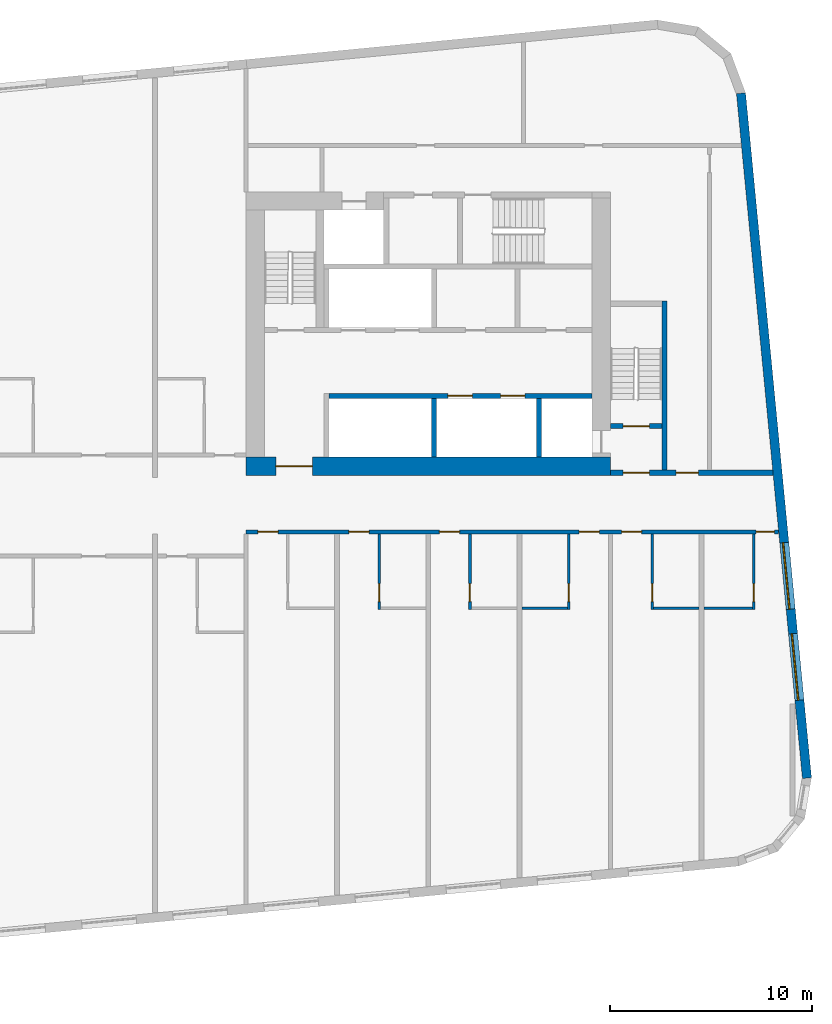
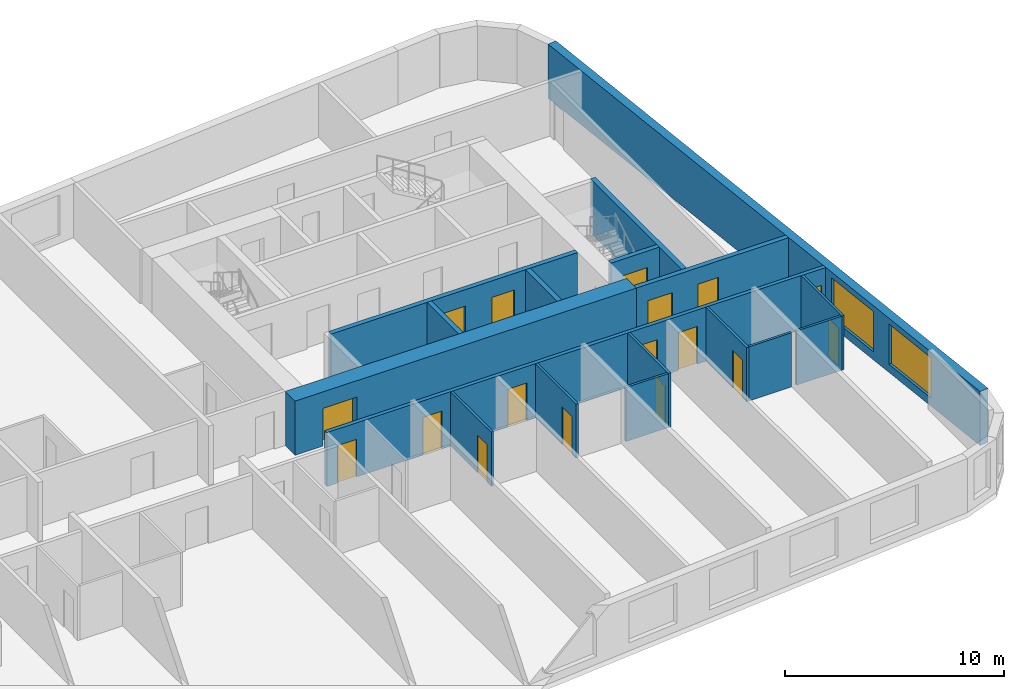
# One storey, part 7 of 12: 17 doors, 17 walls, 2 windows, 19 openings.
"""IFC4 building model written with IfcOpenShell, lengths in metres."""

from ifc_helpers import new_model, si_unit, direction, frame, frame_2d, origin, place, context, subcontext, project, spatial, rectangle, extrude, material, layer, layer_set, type_object, element, fill, save


model = new_model("IFC4")

# Units and contexts
model_context = context("Model", 3, precision=1e-05, world=origin(), true_north=direction((0.0, 1.0)))
body_context = subcontext(model_context, "Body", "Model", "MODEL_VIEW")
ifc_project = project(units=[si_unit("LENGTHUNIT", "METRE"), si_unit("AREAUNIT", "SQUARE_METRE"), si_unit("VOLUMEUNIT", "CUBIC_METRE"), si_unit("PLANEANGLEUNIT", "RADIAN"), si_unit("MASSUNIT", "GRAM", prefix="KILO")], contexts=[model_context])

# Site, building, storey
site_placement = place(None, origin())
site = spatial("IfcSite", under=ifc_project, at=site_placement, CompositionType="ELEMENT")
building_placement = place(site_placement, origin())
building = spatial("IfcBuilding", under=site, at=building_placement, Name="Kajstack Hotel Tower", CompositionType="ELEMENT")
storey_placement = place(building_placement, frame((0.0, 0.0, 190.0)))
storey = spatial("IfcBuildingStorey", under=building, at=storey_placement, Name="L45", CompositionType="ELEMENT", Elevation=190.0)

# Wall, opening, door
ifc_material_1 = material(Name="Concrete C60/75", Category="concrete")
ifc_layer_1 = layer(ifc_material_1, 0.89990234375)
ifc_layer_set_1 = layer_set([ifc_layer_1], Name="Core wall 900")
wall_type_1 = type_object("IfcWallType", Name="Core wall 900", PredefinedType="SHEAR", material=ifc_layer_set_1)
wall_1_placement = place(storey_placement, frame((13.5, 1.949951171875, 0.0), z_axis=(0.0, 0.0, 1.0), x_axis=(1.0, 0.0, 0.0)))
wall_1 = element("IfcWall", 1, at=wall_1_placement, inside=storey, type_object=wall_type_1, Name="Core wall E RN", PredefinedType="SHEAR", context=body_context, shape_type="SweptSolid", body=[
    extrude(rectangle(XDim=18.0, YDim=0.89990234375, at=frame_2d((9.0, 0.0))), origin(), (0.0, 0.0, 1.0), 3.02001953125),
])
opening_1_placement = place(wall_1_placement, frame((1.47509765625, 0.0, 0.0)))
opening_1 = element("IfcOpeningElement", 2, at=opening_1_placement, cuts=wall_1, Name="Opening 45E07", PredefinedType="OPENING", context=body_context, shape_type="SweptSolid", body=[
    extrude(rectangle(XDim=1.800048828125, YDim=2.10009765625, at=frame_2d((0.89990234375, 1.050048828125))), frame((0.0, 0.4599609375, 0.0), z_axis=(0.0, -1.0, 0.0), x_axis=(1.0, 0.0, 0.0)), (0.0, 0.0, 1.0), 0.919921875),
])
ifc_material_2 = material(Name="Glazed steel frame, fire-rated glass", Category="steel")
door_type_1 = type_object("IfcDoorType", Name="Lobby double door 1800", OperationType="DOUBLE_DOOR_DOUBLE_SWING", PredefinedType="DOOR", material=ifc_material_2)
door_1_placement = place(opening_1_placement, origin())
door_1 = element("IfcDoor", 3, at=door_1_placement, inside=storey, type_object=door_type_1, Name="Door 45E07", OperationType="DOUBLE_DOOR_DOUBLE_SWING", OverallHeight=2.10009765625, OverallWidth=1.800048828125, PredefinedType="DOOR", context=body_context, shape_type="SweptSolid", body=[
    extrude(rectangle(XDim=1.800048828125, YDim=2.10009765625, at=frame_2d((0.89990234375, 1.050048828125))), frame((0.0, 0.02490234375, 0.0), z_axis=(0.0, -1.0, 0.0), x_axis=(1.0, 0.0, 0.0)), (0.0, 0.0, 1.0), 0.050048828125),
])
fill(opening_1, door_1)

# Wall, openings, doors
ifc_material_3 = material(Name="Gypsum board on steel studs, mineral wool", Category="steel")
ifc_layer_2 = layer(ifc_material_3, 0.199951171875)
ifc_layer_set_2 = layer_set([ifc_layer_2], Name="Corridor wall 200")
wall_type_2 = type_object("IfcWallType", Name="Corridor wall 200", PredefinedType="PARTITIONING", material=ifc_layer_set_2)
wall_2_placement = place(storey_placement, frame((13.5, -1.300048828125, 0.0), z_axis=(0.0, 0.0, 1.0), x_axis=(1.0, 0.0, 0.0)))
wall_2 = element("IfcWall", 4, at=wall_2_placement, inside=storey, type_object=wall_type_2, Name="G-wall-L45-023", PredefinedType="PARTITIONING", context=body_context, shape_type="SweptSolid", body=[
    extrude(rectangle(XDim=26.31689453125, YDim=0.199951171875, at=frame_2d((13.158447265625, 0.0))), origin(), (0.0, 0.0, 1.0), 3.02001953125),
])
opening_2_placement = place(wall_2_placement, frame((0.574951171875, 0.0, 0.0)))
opening_2 = element("IfcOpeningElement", 5, at=opening_2_placement, cuts=wall_2, Name="Opening 45027", PredefinedType="OPENING", context=body_context, shape_type="SweptSolid", body=[
    extrude(rectangle(XDim=1.0, YDim=2.10009765625, at=frame_2d((0.5, 1.050048828125))), frame((0.0, 0.10986328125, 0.0), z_axis=(0.0, -1.0, 0.0), x_axis=(1.0, 0.0, 0.0)), (0.0, 0.0, 1.0), 0.219970703125),
])
opening_3_placement = place(wall_2_placement, frame((5.074951171875, 0.0, 0.0)))
opening_3 = element("IfcOpeningElement", 6, at=opening_3_placement, cuts=wall_2, Name="Opening 45029", PredefinedType="OPENING", context=body_context, shape_type="SweptSolid", body=[
    extrude(rectangle(XDim=1.0, YDim=2.10009765625, at=frame_2d((0.5, 1.050048828125))), frame((0.0, 0.10986328125, 0.0), z_axis=(0.0, -1.0, 0.0), x_axis=(1.0, 0.0, 0.0)), (0.0, 0.0, 1.0), 0.219970703125),
])
opening_4_placement = place(wall_2_placement, frame((9.550048828125, 0.0, 0.0)))
opening_4 = element("IfcOpeningElement", 7, at=opening_4_placement, cuts=wall_2, Name="Opening 45031", PredefinedType="OPENING", context=body_context, shape_type="SweptSolid", body=[
    extrude(rectangle(XDim=1.0, YDim=2.10009765625, at=frame_2d((0.5, 1.050048828125))), frame((0.0, 0.10986328125, 0.0), z_axis=(0.0, -1.0, 0.0), x_axis=(1.0, 0.0, 0.0)), (0.0, 0.0, 1.0), 0.219970703125),
])
opening_5_placement = place(wall_2_placement, frame((16.449951171875, 0.0, 0.0)))
opening_5 = element("IfcOpeningElement", 8, at=opening_5_placement, cuts=wall_2, Name="Opening 45033", PredefinedType="OPENING", context=body_context, shape_type="SweptSolid", body=[
    extrude(rectangle(XDim=1.0, YDim=2.10009765625, at=frame_2d((0.5, 1.050048828125))), frame((0.0, 0.10986328125, 0.0), z_axis=(0.0, -1.0, 0.0), x_axis=(1.0, 0.0, 0.0)), (0.0, 0.0, 1.0), 0.219970703125),
])
opening_6_placement = place(wall_2_placement, frame((18.550048828125, 0.0, 0.0)))
opening_6 = element("IfcOpeningElement", 9, at=opening_6_placement, cuts=wall_2, Name="Opening 45035", PredefinedType="OPENING", context=body_context, shape_type="SweptSolid", body=[
    extrude(rectangle(XDim=1.0, YDim=2.10009765625, at=frame_2d((0.5, 1.050048828125))), frame((0.0, 0.10986328125, 0.0), z_axis=(0.0, -1.0, 0.0), x_axis=(1.0, 0.0, 0.0)), (0.0, 0.0, 1.0), 0.219970703125),
])
opening_7_placement = place(wall_2_placement, frame((25.2080078125, 0.0, 0.0)))
opening_7 = element("IfcOpeningElement", 10, at=opening_7_placement, cuts=wall_2, Name="Opening 45037", PredefinedType="OPENING", context=body_context, shape_type="SweptSolid", body=[
    extrude(rectangle(XDim=0.89990234375, YDim=2.10009765625, at=frame_2d((0.449951171875, 1.050048828125))), frame((0.0, 0.10986328125, 0.0), z_axis=(0.0, -1.0, 0.0), x_axis=(1.0, 0.0, 0.0)), (0.0, 0.0, 1.0), 0.219970703125),
])
ifc_material_4 = material(Name="Oak veneer on timber core, fire-rated leaf", Category="wood")
door_type_2 = type_object("IfcDoorType", Name="Flat entrance door 1000", OperationType="SINGLE_SWING_LEFT", PredefinedType="DOOR", material=ifc_material_4)
door_2_placement = place(opening_2_placement, origin())
door_2 = element("IfcDoor", 11, at=door_2_placement, inside=storey, type_object=door_type_2, Name="G-door-L45-27", OperationType="SINGLE_SWING_LEFT", OverallHeight=2.10009765625, OverallWidth=1.0, PredefinedType="DOOR", context=body_context, shape_type="SweptSolid", body=[
    extrude(rectangle(XDim=1.0, YDim=2.10009765625, at=frame_2d((0.5, 1.050048828125))), frame((0.0, 0.02490234375, 0.0), z_axis=(0.0, -1.0, 0.0), x_axis=(1.0, 0.0, 0.0)), (0.0, 0.0, 1.0), 0.050048828125),
])
fill(opening_2, door_2)
door_3_placement = place(opening_3_placement, origin())
door_3 = element("IfcDoor", 12, at=door_3_placement, inside=storey, type_object=door_type_2, Name="G-door-L45-29", OperationType="SINGLE_SWING_LEFT", OverallHeight=2.10009765625, OverallWidth=1.0, PredefinedType="DOOR", context=body_context, shape_type="SweptSolid", body=[
    extrude(rectangle(XDim=1.0, YDim=2.10009765625, at=frame_2d((0.5, 1.050048828125))), frame((0.0, 0.02490234375, 0.0), z_axis=(0.0, -1.0, 0.0), x_axis=(1.0, 0.0, 0.0)), (0.0, 0.0, 1.0), 0.050048828125),
])
fill(opening_3, door_3)
door_4_placement = place(opening_4_placement, origin())
door_4 = element("IfcDoor", 13, at=door_4_placement, inside=storey, type_object=door_type_2, Name="G-door-L45-31", OperationType="SINGLE_SWING_LEFT", OverallHeight=2.10009765625, OverallWidth=1.0, PredefinedType="DOOR", context=body_context, shape_type="SweptSolid", body=[
    extrude(rectangle(XDim=1.0, YDim=2.10009765625, at=frame_2d((0.5, 1.050048828125))), frame((0.0, 0.02490234375, 0.0), z_axis=(0.0, -1.0, 0.0), x_axis=(1.0, 0.0, 0.0)), (0.0, 0.0, 1.0), 0.050048828125),
])
fill(opening_4, door_4)
door_5_placement = place(opening_5_placement, origin())
door_5 = element("IfcDoor", 14, at=door_5_placement, inside=storey, type_object=door_type_2, Name="G-door-L45-33", OperationType="SINGLE_SWING_LEFT", OverallHeight=2.10009765625, OverallWidth=1.0, PredefinedType="DOOR", context=body_context, shape_type="SweptSolid", body=[
    extrude(rectangle(XDim=1.0, YDim=2.10009765625, at=frame_2d((0.5, 1.050048828125))), frame((0.0, 0.02490234375, 0.0), z_axis=(0.0, -1.0, 0.0), x_axis=(1.0, 0.0, 0.0)), (0.0, 0.0, 1.0), 0.050048828125),
])
fill(opening_5, door_5)
door_6_placement = place(opening_6_placement, origin())
door_6 = element("IfcDoor", 15, at=door_6_placement, inside=storey, type_object=door_type_2, Name="G-door-L45-35", OperationType="SINGLE_SWING_RIGHT", OverallHeight=2.10009765625, OverallWidth=1.0, PredefinedType="DOOR", context=body_context, shape_type="SweptSolid", body=[
    extrude(rectangle(XDim=1.0, YDim=2.10009765625, at=frame_2d((0.5, 1.050048828125))), frame((0.0, 0.02490234375, 0.0), z_axis=(0.0, -1.0, 0.0), x_axis=(1.0, 0.0, 0.0)), (0.0, 0.0, 1.0), 0.050048828125),
])
fill(opening_6, door_6)
ifc_material_5 = material(Name="Painted timber door leaf", Category="wood")
door_type_3 = type_object("IfcDoorType", Name="Room door 900", OperationType="SINGLE_SWING_LEFT", PredefinedType="DOOR", material=ifc_material_5)
door_7_placement = place(opening_7_placement, origin())
door_7 = element("IfcDoor", 16, at=door_7_placement, inside=storey, type_object=door_type_3, Name="G-door-L45-37", OperationType="SINGLE_SWING_RIGHT", OverallHeight=2.10009765625, OverallWidth=0.89990234375, PredefinedType="DOOR", context=body_context, shape_type="SweptSolid", body=[
    extrude(rectangle(XDim=0.89990234375, YDim=2.10009765625, at=frame_2d((0.449951171875, 1.050048828125))), frame((0.0, 0.02490234375, 0.0), z_axis=(0.0, -1.0, 0.0), x_axis=(1.0, 0.0, 0.0)), (0.0, 0.0, 1.0), 0.050048828125),
])
fill(opening_7, door_7)

# Wall, openings, windows
ifc_material_6 = material(Name="Terracotta-faced brick masonry", Category="masonry")
ifc_layer_3 = layer(ifc_material_6, 0.449951171875)
ifc_layer_set_3 = layer_set([ifc_layer_3], Name="EW-TERRA")
wall_type_3 = type_object("IfcWallType", Name="EW-TERRA", PredefinedType="SOLIDWALL", material=ifc_layer_set_3)
wall_3_placement = place(storey_placement, frame((41.21435546875, -13.465576171875, 0.0), z_axis=(0.0, 0.0, 1.0), x_axis=(-0.095847314626, 0.995396047952, 0.0)))
wall_3 = element("IfcWall", 17, at=wall_3_placement, inside=storey, type_object=wall_type_3, Name="E-wall-L45-08-00", PredefinedType="SOLIDWALL", context=body_context, shape_type="SweptSolid", body=[
    extrude(rectangle(XDim=33.999755859375, YDim=0.449951171875, at=frame_2d((17.0, 0.0))), origin(), (0.0, 0.0, 1.0), 3.02001953125),
])
opening_8_placement = place(wall_3_placement, frame((3.869384765625, 0.0, 0.449951171875)))
opening_8 = element("IfcOpeningElement", 18, at=opening_8_placement, cuts=wall_3, Name="Opening W2", PredefinedType="OPENING", context=body_context, shape_type="SweptSolid", body=[
    extrude(rectangle(XDim=3.300048828125, YDim=2.25, at=frame_2d((1.64990234375, 1.125))), frame((0.0, 0.23486328125, 0.0), z_axis=(0.0, -1.0, 0.0), x_axis=(1.0, 0.0, 0.0)), (0.0, 0.0, 1.0), 0.469970703125),
])
opening_9_placement = place(wall_3_placement, frame((8.390380859375, 0.0, 0.449951171875)))
opening_9 = element("IfcOpeningElement", 19, at=opening_9_placement, cuts=wall_3, Name="Opening W2", PredefinedType="OPENING", context=body_context, shape_type="SweptSolid", body=[
    extrude(rectangle(XDim=3.300048828125, YDim=2.25, at=frame_2d((1.64990234375, 1.125))), frame((0.0, 0.23486328125, 0.0), z_axis=(0.0, -1.0, 0.0), x_axis=(1.0, 0.0, 0.0)), (0.0, 0.0, 1.0), 0.469970703125),
])
ifc_material_7 = material(Name="Timber-aluminium window, triple glazed", Category="wood")
window_type = type_object("IfcWindowType", Name="WG2", PartitioningType="SINGLE_PANEL", PredefinedType="WINDOW", material=ifc_material_7)
window_1_placement = place(opening_8_placement, origin())
window_1 = element("IfcWindow", 20, at=window_1_placement, inside=storey, type_object=window_type, Name="Window W2 L45-08", OverallHeight=2.25, OverallWidth=3.300048828125, PartitioningType="SINGLE_PANEL", PredefinedType="WINDOW", context=body_context, shape_type="SweptSolid", body=[
    extrude(rectangle(XDim=3.300048828125, YDim=2.25, at=frame_2d((1.64990234375, 1.125))), frame((0.0, 0.090087890625, 0.0), z_axis=(0.0, -1.0, 0.0), x_axis=(1.0, 0.0, 0.0)), (0.0, 0.0, 1.0), 0.06005859375),
])
fill(opening_8, window_1)
window_2_placement = place(opening_9_placement, origin())
window_2 = element("IfcWindow", 21, at=window_2_placement, inside=storey, type_object=window_type, Name="Window W2 L45-08", OverallHeight=2.25, OverallWidth=3.300048828125, PartitioningType="SINGLE_PANEL", PredefinedType="WINDOW", context=body_context, shape_type="SweptSolid", body=[
    extrude(rectangle(XDim=3.300048828125, YDim=2.25, at=frame_2d((1.64990234375, 1.125))), frame((0.0, 0.090087890625, 0.0), z_axis=(0.0, -1.0, 0.0), x_axis=(1.0, 0.0, 0.0)), (0.0, 0.0, 1.0), 0.06005859375),
])
fill(opening_9, window_2)

# Wall, opening, door
ifc_material_8 = material(Name="Gypsum board and tiled backer on steel studs", Category="steel")
ifc_layer_4 = layer(ifc_material_8, 0.125)
ifc_layer_set_4 = layer_set([ifc_layer_4], Name="En-suite wall 125")
wall_type_4 = type_object("IfcWallType", Name="En-suite wall 125", PredefinedType="PARTITIONING", material=ifc_layer_set_4)
wall_4_placement = place(storey_placement, frame((20.0869140625, -5.125, 0.0), z_axis=(0.0, 0.0, 1.0), x_axis=(0.0, 1.0, 0.0)))
wall_4 = element("IfcWall", 22, at=wall_4_placement, inside=storey, type_object=wall_type_4, Name="G-wall-L45-039", PredefinedType="PARTITIONING", context=body_context, shape_type="SweptSolid", body=[
    extrude(rectangle(XDim=3.72509765625, YDim=0.125, at=frame_2d((1.862548828125, 0.0))), origin(), (0.0, 0.0, 1.0), 3.02001953125),
])
opening_10_placement = place(wall_4_placement, frame((0.375, 0.0, 0.0)))
opening_10 = element("IfcOpeningElement", 23, at=opening_10_placement, cuts=wall_4, Name="Opening 45030", PredefinedType="OPENING", context=body_context, shape_type="SweptSolid", body=[
    extrude(rectangle(XDim=0.89990234375, YDim=2.10009765625, at=frame_2d((0.449951171875, 1.050048828125))), frame((0.0, 0.072509765625, 0.0), z_axis=(0.0, -1.0, 0.0), x_axis=(1.0, 0.0, 0.0)), (0.0, 0.0, 1.0), 0.14501953125),
])
door_8_placement = place(opening_10_placement, origin())
door_8 = element("IfcDoor", 24, at=door_8_placement, inside=storey, type_object=door_type_3, Name="G-door-L45-30", OperationType="SINGLE_SWING_RIGHT", OverallHeight=2.10009765625, OverallWidth=0.89990234375, PredefinedType="DOOR", context=body_context, shape_type="SweptSolid", body=[
    extrude(rectangle(XDim=0.89990234375, YDim=2.10009765625, at=frame_2d((0.449951171875, 1.050048828125))), frame((0.0, 0.02490234375, 0.0), z_axis=(0.0, -1.0, 0.0), x_axis=(1.0, 0.0, 0.0)), (0.0, 0.0, 1.0), 0.050048828125),
])
fill(opening_10, door_8)

wall_5_placement = place(storey_placement, frame((24.56201171875, -5.125, 0.0), z_axis=(0.0, 0.0, 1.0), x_axis=(0.0, 1.0, 0.0)))
wall_5 = element("IfcWall", 25, at=wall_5_placement, inside=storey, type_object=wall_type_4, Name="G-wall-L45-041", PredefinedType="PARTITIONING", context=body_context, shape_type="SweptSolid", body=[
    extrude(rectangle(XDim=3.72509765625, YDim=0.125, at=frame_2d((1.862548828125, 0.0))), origin(), (0.0, 0.0, 1.0), 3.02001953125),
])
opening_11_placement = place(wall_5_placement, frame((0.375, 0.0, 0.0)))
opening_11 = element("IfcOpeningElement", 26, at=opening_11_placement, cuts=wall_5, Name="Opening 45032", PredefinedType="OPENING", context=body_context, shape_type="SweptSolid", body=[
    extrude(rectangle(XDim=0.89990234375, YDim=2.10009765625, at=frame_2d((0.449951171875, 1.050048828125))), frame((0.0, 0.072509765625, 0.0), z_axis=(0.0, -1.0, 0.0), x_axis=(1.0, 0.0, 0.0)), (0.0, 0.0, 1.0), 0.14501953125),
])
door_9_placement = place(opening_11_placement, origin())
door_9 = element("IfcDoor", 27, at=door_9_placement, inside=storey, type_object=door_type_3, Name="G-door-L45-32", OperationType="SINGLE_SWING_RIGHT", OverallHeight=2.10009765625, OverallWidth=0.89990234375, PredefinedType="DOOR", context=body_context, shape_type="SweptSolid", body=[
    extrude(rectangle(XDim=0.89990234375, YDim=2.10009765625, at=frame_2d((0.449951171875, 1.050048828125))), frame((0.0, 0.02490234375, 0.0), z_axis=(0.0, -1.0, 0.0), x_axis=(1.0, 0.0, 0.0)), (0.0, 0.0, 1.0), 0.050048828125),
])
fill(opening_11, door_9)

wall_6_placement = place(storey_placement, frame((29.43798828125, -5.125, 0.0), z_axis=(0.0, 0.0, 1.0), x_axis=(0.0, 1.0, 0.0)))
wall_6 = element("IfcWall", 28, at=wall_6_placement, inside=storey, type_object=wall_type_4, Name="G-wall-L45-044", PredefinedType="PARTITIONING", context=body_context, shape_type="SweptSolid", body=[
    extrude(rectangle(XDim=3.72509765625, YDim=0.125, at=frame_2d((1.862548828125, 0.0))), origin(), (0.0, 0.0, 1.0), 3.02001953125),
])
opening_12_placement = place(wall_6_placement, frame((0.375, 0.0, 0.0)))
opening_12 = element("IfcOpeningElement", 29, at=opening_12_placement, cuts=wall_6, Name="Opening 45034", PredefinedType="OPENING", context=body_context, shape_type="SweptSolid", body=[
    extrude(rectangle(XDim=0.89990234375, YDim=2.10009765625, at=frame_2d((0.449951171875, 1.050048828125))), frame((0.0, 0.072509765625, 0.0), z_axis=(0.0, -1.0, 0.0), x_axis=(1.0, 0.0, 0.0)), (0.0, 0.0, 1.0), 0.14501953125),
])
door_10_placement = place(opening_12_placement, origin())
door_10 = element("IfcDoor", 30, at=door_10_placement, inside=storey, type_object=door_type_3, Name="G-door-L45-34", OperationType="SINGLE_SWING_LEFT", OverallHeight=2.10009765625, OverallWidth=0.89990234375, PredefinedType="DOOR", context=body_context, shape_type="SweptSolid", body=[
    extrude(rectangle(XDim=0.89990234375, YDim=2.10009765625, at=frame_2d((0.449951171875, 1.050048828125))), frame((0.0, 0.02490234375, 0.0), z_axis=(0.0, -1.0, 0.0), x_axis=(1.0, 0.0, 0.0)), (0.0, 0.0, 1.0), 0.050048828125),
])
fill(opening_12, door_10)

# Wall
wall_7_placement = place(storey_placement, frame((27.125, -5.06201171875, 0.0), z_axis=(0.0, 0.0, 1.0), x_axis=(1.0, 0.0, 0.0)))
element("IfcWall", 31, at=wall_7_placement, inside=storey, type_object=wall_type_4, Name="G-wall-L45-045", PredefinedType="PARTITIONING", context=body_context, shape_type="SweptSolid", body=[
    extrude(rectangle(XDim=2.25, YDim=0.125, at=frame_2d((1.125, 0.0))), origin(), (0.0, 0.0, 1.0), 3.02001953125),
])

# Wall, opening, door
wall_8_placement = place(storey_placement, frame((33.56201171875, -5.125, 0.0), z_axis=(0.0, 0.0, 1.0), x_axis=(0.0, 1.0, 0.0)))
wall_8 = element("IfcWall", 32, at=wall_8_placement, inside=storey, type_object=wall_type_4, Name="G-wall-L45-046", PredefinedType="PARTITIONING", context=body_context, shape_type="SweptSolid", body=[
    extrude(rectangle(XDim=3.72509765625, YDim=0.125, at=frame_2d((1.862548828125, 0.0))), origin(), (0.0, 0.0, 1.0), 3.02001953125),
])
opening_13_placement = place(wall_8_placement, frame((0.375, 0.0, 0.0)))
opening_13 = element("IfcOpeningElement", 33, at=opening_13_placement, cuts=wall_8, Name="Opening 45036", PredefinedType="OPENING", context=body_context, shape_type="SweptSolid", body=[
    extrude(rectangle(XDim=0.89990234375, YDim=2.10009765625, at=frame_2d((0.449951171875, 1.050048828125))), frame((0.0, 0.072509765625, 0.0), z_axis=(0.0, -1.0, 0.0), x_axis=(1.0, 0.0, 0.0)), (0.0, 0.0, 1.0), 0.14501953125),
])
door_11_placement = place(opening_13_placement, origin())
door_11 = element("IfcDoor", 34, at=door_11_placement, inside=storey, type_object=door_type_3, Name="G-door-L45-36", OperationType="SINGLE_SWING_LEFT", OverallHeight=2.10009765625, OverallWidth=0.89990234375, PredefinedType="DOOR", context=body_context, shape_type="SweptSolid", body=[
    extrude(rectangle(XDim=0.89990234375, YDim=2.10009765625, at=frame_2d((0.449951171875, 1.050048828125))), frame((0.0, 0.02490234375, 0.0), z_axis=(0.0, -1.0, 0.0), x_axis=(1.0, 0.0, 0.0)), (0.0, 0.0, 1.0), 0.050048828125),
])
fill(opening_13, door_11)

# Wall
wall_9_placement = place(storey_placement, frame((33.625, -5.06201171875, 0.0), z_axis=(0.0, 0.0, 1.0), x_axis=(1.0, 0.0, 0.0)))
element("IfcWall", 35, at=wall_9_placement, inside=storey, type_object=wall_type_4, Name="G-wall-L45-047", PredefinedType="PARTITIONING", context=body_context, shape_type="SweptSolid", body=[
    extrude(rectangle(XDim=2.25, YDim=0.125, at=frame_2d((1.125, 0.0))), origin(), (0.0, 0.0, 1.0), 3.02001953125),
])

# Wall, opening, door
wall_10_placement = place(storey_placement, frame((38.5869140625, -5.125, 0.0), z_axis=(0.0, 0.0, 1.0), x_axis=(0.0, 1.0, 0.0)))
wall_10 = element("IfcWall", 36, at=wall_10_placement, inside=storey, type_object=wall_type_4, Name="G-wall-L45-048", PredefinedType="PARTITIONING", context=body_context, shape_type="SweptSolid", body=[
    extrude(rectangle(XDim=3.72509765625, YDim=0.125, at=frame_2d((1.862548828125, 0.0))), origin(), (0.0, 0.0, 1.0), 3.02001953125),
])
opening_14_placement = place(wall_10_placement, frame((0.375, 0.0, 0.0)))
opening_14 = element("IfcOpeningElement", 37, at=opening_14_placement, cuts=wall_10, Name="Opening 45038", PredefinedType="OPENING", context=body_context, shape_type="SweptSolid", body=[
    extrude(rectangle(XDim=0.89990234375, YDim=2.10009765625, at=frame_2d((0.449951171875, 1.050048828125))), frame((0.0, 0.072509765625, 0.0), z_axis=(0.0, -1.0, 0.0), x_axis=(1.0, 0.0, 0.0)), (0.0, 0.0, 1.0), 0.14501953125),
])
door_12_placement = place(opening_14_placement, origin())
door_12 = element("IfcDoor", 38, at=door_12_placement, inside=storey, type_object=door_type_3, Name="G-door-L45-38", OperationType="SINGLE_SWING_LEFT", OverallHeight=2.10009765625, OverallWidth=0.89990234375, PredefinedType="DOOR", context=body_context, shape_type="SweptSolid", body=[
    extrude(rectangle(XDim=0.89990234375, YDim=2.10009765625, at=frame_2d((0.449951171875, 1.050048828125))), frame((0.0, 0.02490234375, 0.0), z_axis=(0.0, -1.0, 0.0), x_axis=(1.0, 0.0, 0.0)), (0.0, 0.0, 1.0), 0.050048828125),
])
fill(opening_14, door_12)

# Walls
wall_11_placement = place(storey_placement, frame((36.125, -5.06201171875, 0.0), z_axis=(0.0, 0.0, 1.0), x_axis=(1.0, 0.0, 0.0)))
element("IfcWall", 39, at=wall_11_placement, inside=storey, type_object=wall_type_4, Name="G-wall-L45-049", PredefinedType="PARTITIONING", context=body_context, shape_type="SweptSolid", body=[
    extrude(rectangle(XDim=2.39990234375, YDim=0.125, at=frame_2d((1.199951171875, 0.0))), origin(), (0.0, 0.0, 1.0), 3.02001953125),
])
ifc_material_9 = material(Name="Concrete C50/60", Category="concrete")
ifc_layer_5 = layer(ifc_material_9, 0.300048828125)
ifc_layer_set_5 = layer_set([ifc_layer_5], Name="Hoistway divider wall 300")
wall_type_5 = type_object("IfcWallType", Name="Hoistway divider wall 300", PredefinedType="SHEAR", material=ifc_layer_set_5)
wall_12_placement = place(storey_placement, frame((22.77490234375, 2.39990234375, 0.0), z_axis=(0.0, 0.0, 1.0), x_axis=(0.0, 1.0, 0.0)))
element("IfcWall", 40, at=wall_12_placement, inside=storey, type_object=wall_type_5, Name="Core wall E AP2", PredefinedType="SHEAR", context=body_context, shape_type="SweptSolid", body=[
    extrude(rectangle(XDim=2.900146484375, YDim=0.25, at=frame_2d((1.4501953125, 0.0))), origin(), (0.0, 0.0, 1.0), 3.02001953125),
])

# Wall, openings, doors
ifc_layer_6 = layer(ifc_material_3, 0.199951171875)
ifc_layer_set_6 = layer_set([ifc_layer_6], Name="Service partition 200")
wall_type_6 = type_object("IfcWallType", Name="Service partition 200", PredefinedType="PARTITIONING", material=ifc_layer_set_6)
wall_13_placement = place(storey_placement, frame((31.5, 1.625, 0.0), z_axis=(0.0, 0.0, 1.0), x_axis=(1.0, 0.0, 0.0)))
wall_13 = element("IfcWall", 41, at=wall_13_placement, inside=storey, type_object=wall_type_6, Name="Partition E SN", PredefinedType="PARTITIONING", context=body_context, shape_type="SweptSolid", body=[
    extrude(rectangle(XDim=8.035400390625, YDim=0.25, at=frame_2d((4.017578125, 0.0))), origin(), (0.0, 0.0, 1.0), 3.02001953125),
])
opening_15_placement = place(wall_13_placement, frame((0.625, 0.0, 0.0)))
opening_15 = element("IfcOpeningElement", 42, at=opening_15_placement, cuts=wall_13, Name="Opening 45E08", PredefinedType="OPENING", context=body_context, shape_type="SweptSolid", body=[
    extrude(rectangle(XDim=1.300048828125, YDim=2.10009765625, at=frame_2d((0.64990234375, 1.050048828125))), frame((0.0, 0.135009765625, 0.0), z_axis=(0.0, -1.0, 0.0), x_axis=(1.0, 0.0, 0.0)), (0.0, 0.0, 1.0), 0.27001953125),
])
opening_16_placement = place(wall_13_placement, frame((3.25, 0.0, 0.0)))
opening_16 = element("IfcOpeningElement", 43, at=opening_16_placement, cuts=wall_13, Name="Opening 45E10", PredefinedType="OPENING", context=body_context, shape_type="SweptSolid", body=[
    extrude(rectangle(XDim=1.10009765625, YDim=2.10009765625, at=frame_2d((0.550048828125, 1.050048828125))), frame((0.0, 0.135009765625, 0.0), z_axis=(0.0, -1.0, 0.0), x_axis=(1.0, 0.0, 0.0)), (0.0, 0.0, 1.0), 0.27001953125),
])
ifc_material_10 = material(Name="Steel leaf, fire-rated", Category="steel")
door_type_4 = type_object("IfcDoorType", Name="Fire lobby door 1300", OperationType="SINGLE_SWING_LEFT", PredefinedType="DOOR", material=ifc_material_10)
door_13_placement = place(opening_15_placement, origin())
door_13 = element("IfcDoor", 44, at=door_13_placement, inside=storey, type_object=door_type_4, Name="Door 45E08", OperationType="SINGLE_SWING_LEFT", OverallHeight=2.10009765625, OverallWidth=1.300048828125, PredefinedType="DOOR", context=body_context, shape_type="SweptSolid", body=[
    extrude(rectangle(XDim=1.300048828125, YDim=2.10009765625, at=frame_2d((0.64990234375, 1.050048828125))), frame((0.0, 0.02490234375, 0.0), z_axis=(0.0, -1.0, 0.0), x_axis=(1.0, 0.0, 0.0)), (0.0, 0.0, 1.0), 0.050048828125),
])
fill(opening_15, door_13)
ifc_material_11 = material(Name="Timber leaf, fire-rated", Category="wood")
door_type_5 = type_object("IfcDoorType", Name="Service corridor door 1100", OperationType="SINGLE_SWING_LEFT", PredefinedType="DOOR", material=ifc_material_11)
door_14_placement = place(opening_16_placement, origin())
door_14 = element("IfcDoor", 45, at=door_14_placement, inside=storey, type_object=door_type_5, Name="Door 45E10", OperationType="SINGLE_SWING_LEFT", OverallHeight=2.10009765625, OverallWidth=1.10009765625, PredefinedType="DOOR", context=body_context, shape_type="SweptSolid", body=[
    extrude(rectangle(XDim=1.10009765625, YDim=2.10009765625, at=frame_2d((0.550048828125, 1.050048828125))), frame((0.0, 0.02490234375, 0.0), z_axis=(0.0, -1.0, 0.0), x_axis=(1.0, 0.0, 0.0)), (0.0, 0.0, 1.0), 0.050048828125),
])
fill(opening_16, door_14)

ifc_layer_7 = layer(ifc_material_9, 0.25)
ifc_layer_set_7 = layer_set([ifc_layer_7], Name="Shaft wall 250")
wall_type_7 = type_object("IfcWallType", Name="Shaft wall 250", PredefinedType="SHEAR", material=ifc_layer_set_7)
wall_14_placement = place(storey_placement, frame((17.60009765625, 5.425048828125, 0.0), z_axis=(0.0, 0.0, 1.0), x_axis=(1.0, 0.0, 0.0)))
wall_14 = element("IfcWall", 46, at=wall_14_placement, inside=storey, type_object=wall_type_7, Name="Core wall E FA", PredefinedType="SHEAR", context=body_context, shape_type="SweptSolid", body=[
    extrude(rectangle(XDim=13.0, YDim=0.25, at=frame_2d((6.5, 0.0))), origin(), (0.0, 0.0, 1.0), 3.02001953125),
])
opening_17_placement = place(wall_14_placement, frame((8.47509765625, 0.0, 0.0)))
opening_17 = element("IfcOpeningElement", 47, at=opening_17_placement, cuts=wall_14, Name="Opening LD-MR7", PredefinedType="OPENING", context=body_context, shape_type="SweptSolid", body=[
    extrude(rectangle(XDim=1.199951171875, YDim=2.10009765625, at=frame_2d((0.60009765625, 1.050048828125))), frame((0.0, 0.135009765625, 0.0), z_axis=(0.0, -1.0, 0.0), x_axis=(1.0, 0.0, 0.0)), (0.0, 0.0, 1.0), 0.27001953125),
])
opening_18_placement = place(wall_14_placement, frame((5.875, 0.0, 0.0)))
opening_18 = element("IfcOpeningElement", 48, at=opening_18_placement, cuts=wall_14, Name="Opening LD-MR8", PredefinedType="OPENING", context=body_context, shape_type="SweptSolid", body=[
    extrude(rectangle(XDim=1.199951171875, YDim=2.10009765625, at=frame_2d((0.60009765625, 1.050048828125))), frame((0.0, 0.135009765625, 0.0), z_axis=(0.0, -1.0, 0.0), x_axis=(1.0, 0.0, 0.0)), (0.0, 0.0, 1.0), 0.27001953125),
])
ifc_material_12 = material(Name="Stainless steel", Category="steel")
door_type_6 = type_object("IfcDoorType", Name="Lift landing door 1200", OperationType="SLIDING_TO_LEFT", PredefinedType="DOOR", material=ifc_material_12)
door_15_placement = place(opening_17_placement, origin())
door_15 = element("IfcDoor", 49, at=door_15_placement, inside=storey, type_object=door_type_6, Name="Landing door MR7", OperationType="SLIDING_TO_LEFT", OverallHeight=2.10009765625, OverallWidth=1.199951171875, PredefinedType="DOOR", context=body_context, shape_type="SweptSolid", body=[
    extrude(rectangle(XDim=1.199951171875, YDim=2.10009765625, at=frame_2d((0.60009765625, 1.050048828125))), frame((0.0, 0.02490234375, 0.0), z_axis=(0.0, -1.0, 0.0), x_axis=(1.0, 0.0, 0.0)), (0.0, 0.0, 1.0), 0.050048828125),
])
fill(opening_17, door_15)
door_16_placement = place(opening_18_placement, origin())
door_16 = element("IfcDoor", 50, at=door_16_placement, inside=storey, type_object=door_type_6, Name="Landing door MR8", OperationType="SLIDING_TO_RIGHT", OverallHeight=2.10009765625, OverallWidth=1.199951171875, PredefinedType="DOOR", context=body_context, shape_type="SweptSolid", body=[
    extrude(rectangle(XDim=1.199951171875, YDim=2.10009765625, at=frame_2d((0.60009765625, 1.050048828125))), frame((0.0, 0.02490234375, 0.0), z_axis=(0.0, -1.0, 0.0), x_axis=(1.0, 0.0, 0.0)), (0.0, 0.0, 1.0), 0.050048828125),
])
fill(opening_18, door_16)

# Wall
wall_15_placement = place(storey_placement, frame((27.97509765625, 2.39990234375, 0.0), z_axis=(0.0, 0.0, 1.0), x_axis=(0.0, 1.0, 0.0)))
element("IfcWall", 51, at=wall_15_placement, inside=storey, type_object=wall_type_7, Name="Core wall E AP0", PredefinedType="SHEAR", context=body_context, shape_type="SweptSolid", body=[
    extrude(rectangle(XDim=2.900146484375, YDim=0.25, at=frame_2d((1.4501953125, 0.0))), origin(), (0.0, 0.0, 1.0), 3.02001953125),
])

# Wall, opening, door
ifc_material_13 = material(Name="Concrete C40/50", Category="concrete")
ifc_layer_8 = layer(ifc_material_13, 0.25)
ifc_layer_set_8 = layer_set([ifc_layer_8], Name="Stair enclosure wall 250")
wall_type_8 = type_object("IfcWallType", Name="Stair enclosure wall 250", PredefinedType="SHEAR", material=ifc_layer_set_8)
wall_16_placement = place(storey_placement, frame((31.5, 3.925048828125, 0.0), z_axis=(0.0, 0.0, 1.0), x_axis=(1.0, 0.0, 0.0)))
wall_16 = element("IfcWall", 52, at=wall_16_placement, inside=storey, type_object=wall_type_8, Name="Core wall E W1N", PredefinedType="SHEAR", context=body_context, shape_type="SweptSolid", body=[
    extrude(rectangle(XDim=2.550048828125, YDim=0.25, at=frame_2d((1.27490234375, 0.0))), origin(), (0.0, 0.0, 1.0), 3.02001953125),
])
opening_19_placement = place(wall_16_placement, frame((0.625, 0.0, 0.0)))
opening_19 = element("IfcOpeningElement", 53, at=opening_19_placement, cuts=wall_16, Name="Opening 45E09", PredefinedType="OPENING", context=body_context, shape_type="SweptSolid", body=[
    extrude(rectangle(XDim=1.300048828125, YDim=2.10009765625, at=frame_2d((0.64990234375, 1.050048828125))), frame((0.0, 0.135009765625, 0.0), z_axis=(0.0, -1.0, 0.0), x_axis=(1.0, 0.0, 0.0)), (0.0, 0.0, 1.0), 0.27001953125),
])
door_type_7 = type_object("IfcDoorType", Name="Stair door 1300", OperationType="SINGLE_SWING_LEFT", PredefinedType="DOOR", material=ifc_material_10)
door_17_placement = place(opening_19_placement, origin())
door_17 = element("IfcDoor", 54, at=door_17_placement, inside=storey, type_object=door_type_7, Name="Door 45E09", OperationType="SINGLE_SWING_LEFT", OverallHeight=2.10009765625, OverallWidth=1.300048828125, PredefinedType="DOOR", context=body_context, shape_type="SweptSolid", body=[
    extrude(rectangle(XDim=1.300048828125, YDim=2.10009765625, at=frame_2d((0.64990234375, 1.050048828125))), frame((0.0, 0.02490234375, 0.0), z_axis=(0.0, -1.0, 0.0), x_axis=(1.0, 0.0, 0.0)), (0.0, 0.0, 1.0), 0.050048828125),
])
fill(opening_19, door_17)

# Wall
wall_17_placement = place(storey_placement, frame((34.175048828125, 1.75, 0.0), z_axis=(0.0, 0.0, 1.0), x_axis=(0.0, 1.0, 0.0)))
element("IfcWall", 55, at=wall_17_placement, inside=storey, type_object=wall_type_8, Name="Core wall E W1W", PredefinedType="SHEAR", context=body_context, shape_type="SweptSolid", body=[
    extrude(rectangle(XDim=8.35009765625, YDim=0.25, at=frame_2d((4.175048828125, 0.0))), origin(), (0.0, 0.0, 1.0), 3.02001953125),
])

save(model, "model.ifc")
